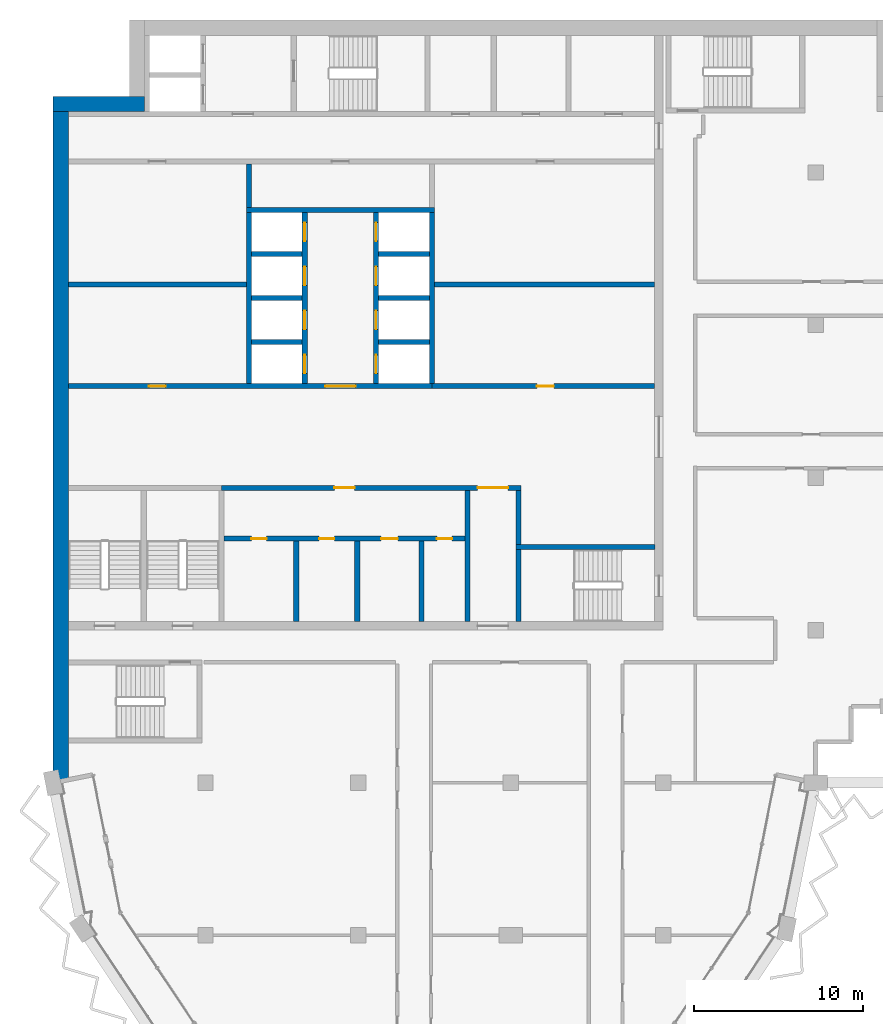
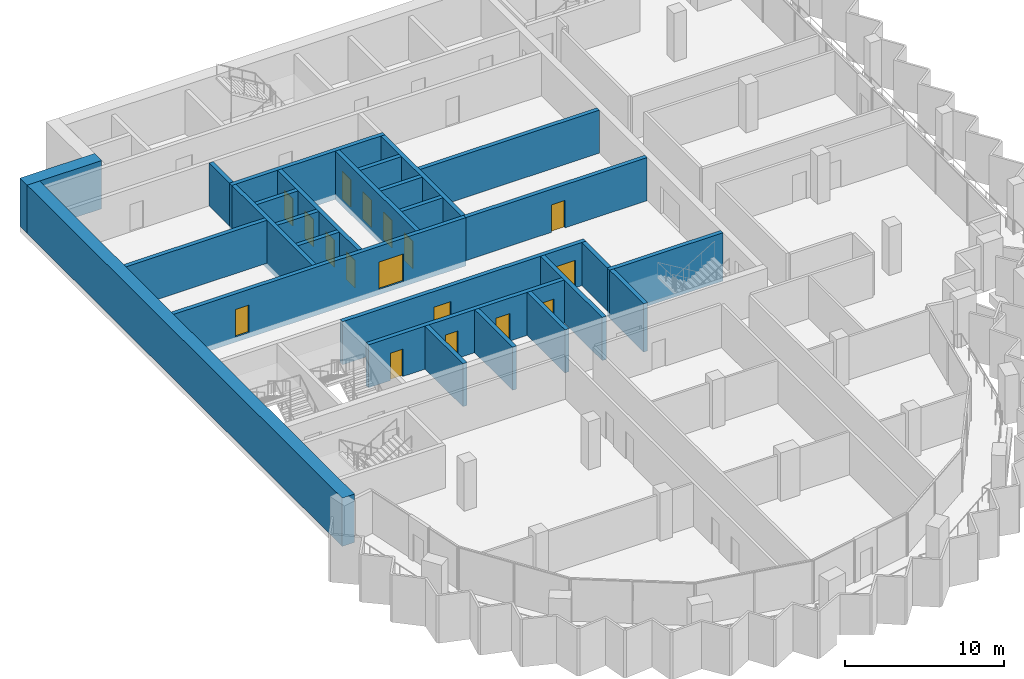
# One storey, part 8 of 14: 27 walls, 17 doors, 17 openings.
"""IFC4 building model written with IfcOpenShell, lengths in metres."""

from ifc_helpers import new_model, si_unit, direction, frame, frame_2d, origin, place, context, subcontext, project, spatial, rectangle, extrude, material, layer, layer_set, type_object, element, fill, save


model = new_model("IFC4")

# Units and contexts
model_context = context("Model", 3, precision=1e-05, world=origin(), true_north=direction((0.0, 1.0)))
body_context = subcontext(model_context, "Body", "Model", "MODEL_VIEW")
ifc_project = project(units=[si_unit("LENGTHUNIT", "METRE"), si_unit("AREAUNIT", "SQUARE_METRE"), si_unit("VOLUMEUNIT", "CUBIC_METRE"), si_unit("PLANEANGLEUNIT", "RADIAN"), si_unit("MASSUNIT", "GRAM", prefix="KILO")], contexts=[model_context])

# Site, building, storey
site_placement = place(None, origin())
site = spatial("IfcSite", under=ifc_project, at=site_placement, CompositionType="ELEMENT")
building_placement = place(site_placement, origin())
building = spatial("IfcBuilding", under=site, at=building_placement, Name="Hunhe Ridgeline Campus", CompositionType="ELEMENT")
storey_placement = place(building_placement, frame((0.0, 0.0, 288.199951171875)))
storey = spatial("IfcBuildingStorey", under=building, at=storey_placement, Name="L74", CompositionType="ELEMENT", Elevation=288.199951171875)

# Wall, openings, doors
ifc_material_1 = material(Name="Masonry concrete blockwork", Category="masonry")
ifc_layer_1 = layer(ifc_material_1, 0.300048828125)
ifc_layer_set_1 = layer_set([ifc_layer_1], Name="Core room partition 300 concrete block")
wall_type_1 = type_object("IfcWallType", Name="Core room partition 300 concrete block", PredefinedType="PARTITIONING", material=ifc_layer_set_1)
wall_1_placement = place(storey_placement, frame((10.10009765625, 68.39990234375, 0.0), z_axis=(0.0, 0.0, 1.0), x_axis=(1.0, 0.0, 0.0)))
wall_1 = element("IfcWall", 1, at=wall_1_placement, inside=storey, type_object=wall_type_1, Name="L74 core partition 5", PredefinedType="PARTITIONING", context=body_context, shape_type="SweptSolid", body=[
    extrude(rectangle(XDim=14.199951171875, YDim=0.300048828125, at=frame_2d((7.10009765625, 0.0))), origin(), (0.0, 0.0, 1.0), 3.300048828125),
])
opening_1_placement = place(wall_1_placement, frame((1.60009765625, 0.0, 0.0)))
opening_1 = element("IfcOpeningElement", 2, at=opening_1_placement, cuts=wall_1, Name="Opening CD8", PredefinedType="OPENING", context=body_context, shape_type="SweptSolid", body=[
    extrude(rectangle(XDim=0.89990234375, YDim=2.10009765625, at=frame_2d((0.449951171875, 1.050048828125))), frame((0.0, 0.14990234375, 0.0), z_axis=(0.0, -1.0, 0.0), x_axis=(1.0, 0.0, 0.0)), (0.0, 0.0, 1.0), 0.300048828125),
])
opening_2_placement = place(wall_1_placement, frame((5.60009765625, 0.0, 0.0)))
opening_2 = element("IfcOpeningElement", 3, at=opening_2_placement, cuts=wall_1, Name="Opening CD9", PredefinedType="OPENING", context=body_context, shape_type="SweptSolid", body=[
    extrude(rectangle(XDim=0.89990234375, YDim=2.10009765625, at=frame_2d((0.449951171875, 1.050048828125))), frame((0.0, 0.14990234375, 0.0), z_axis=(0.0, -1.0, 0.0), x_axis=(1.0, 0.0, 0.0)), (0.0, 0.0, 1.0), 0.300048828125),
])
opening_3_placement = place(wall_1_placement, frame((9.25, 0.0, 0.0)))
opening_3 = element("IfcOpeningElement", 4, at=opening_3_placement, cuts=wall_1, Name="Opening CD10", PredefinedType="OPENING", context=body_context, shape_type="SweptSolid", body=[
    extrude(rectangle(XDim=1.0, YDim=2.10009765625, at=frame_2d((0.5, 1.050048828125))), frame((0.0, 0.14990234375, 0.0), z_axis=(0.0, -1.0, 0.0), x_axis=(1.0, 0.0, 0.0)), (0.0, 0.0, 1.0), 0.300048828125),
])
opening_4_placement = place(wall_1_placement, frame((12.550048828125, 0.0, 0.0)))
opening_4 = element("IfcOpeningElement", 5, at=opening_4_placement, cuts=wall_1, Name="Opening CD11", PredefinedType="OPENING", context=body_context, shape_type="SweptSolid", body=[
    extrude(rectangle(XDim=0.89990234375, YDim=2.10009765625, at=frame_2d((0.449951171875, 1.050048828125))), frame((0.0, 0.14990234375, 0.0), z_axis=(0.0, -1.0, 0.0), x_axis=(1.0, 0.0, 0.0)), (0.0, 0.0, 1.0), 0.300048828125),
])
ifc_material_2 = material(Name="Solid core timber door leaf", Category="wood")
door_type_1 = type_object("IfcDoorType", Name="Timber door 1000x2100", OperationType="SINGLE_SWING_LEFT", PredefinedType="DOOR", material=ifc_material_2)
door_1_placement = place(opening_3_placement, frame((1.0, 0.0, 0.0), z_axis=(0.0, 0.0, 1.0), x_axis=(-1.0, 0.0, 0.0)))
door_1 = element("IfcDoor", 6, at=door_1_placement, inside=storey, type_object=door_type_1, Name="L74 door WC3", OperationType="SINGLE_SWING_LEFT", OverallHeight=2.10009765625, OverallWidth=1.0, PredefinedType="DOOR", context=body_context, shape_type="SweptSolid", body=[
    extrude(rectangle(XDim=1.0, YDim=2.10009765625, at=frame_2d((0.5, 1.050048828125))), frame((0.0, 0.02490234375, 0.0), z_axis=(0.0, -1.0, 0.0), x_axis=(1.0, 0.0, 0.0)), (0.0, 0.0, 1.0), 0.050048828125),
])
fill(opening_3, door_1)
door_type_2 = type_object("IfcDoorType", Name="Timber door 900x2100", OperationType="SINGLE_SWING_LEFT", PredefinedType="DOOR", material=ifc_material_2)
door_2_placement = place(opening_1_placement, frame((0.89990234375, 0.0, 0.0), z_axis=(0.0, 0.0, 1.0), x_axis=(-1.0, 0.0, 0.0)))
door_2 = element("IfcDoor", 7, at=door_2_placement, inside=storey, type_object=door_type_2, Name="L74 door WC1", OperationType="SINGLE_SWING_LEFT", OverallHeight=2.10009765625, OverallWidth=0.89990234375, PredefinedType="DOOR", context=body_context, shape_type="SweptSolid", body=[
    extrude(rectangle(XDim=0.89990234375, YDim=2.10009765625, at=frame_2d((0.449951171875, 1.050048828125))), frame((0.0, 0.02490234375, 0.0), z_axis=(0.0, -1.0, 0.0), x_axis=(1.0, 0.0, 0.0)), (0.0, 0.0, 1.0), 0.050048828125),
])
fill(opening_1, door_2)
door_3_placement = place(opening_2_placement, frame((0.89990234375, 0.0, 0.0), z_axis=(0.0, 0.0, 1.0), x_axis=(-1.0, 0.0, 0.0)))
door_3 = element("IfcDoor", 8, at=door_3_placement, inside=storey, type_object=door_type_2, Name="L74 door WC2", OperationType="SINGLE_SWING_RIGHT", OverallHeight=2.10009765625, OverallWidth=0.89990234375, PredefinedType="DOOR", context=body_context, shape_type="SweptSolid", body=[
    extrude(rectangle(XDim=0.89990234375, YDim=2.10009765625, at=frame_2d((0.449951171875, 1.050048828125))), frame((0.0, 0.02490234375, 0.0), z_axis=(0.0, -1.0, 0.0), x_axis=(1.0, 0.0, 0.0)), (0.0, 0.0, 1.0), 0.050048828125),
])
fill(opening_2, door_3)
door_4_placement = place(opening_4_placement, frame((0.89990234375, 0.0, 0.0), z_axis=(0.0, 0.0, 1.0), x_axis=(-1.0, 0.0, 0.0)))
door_4 = element("IfcDoor", 9, at=door_4_placement, inside=storey, type_object=door_type_2, Name="L74 door WC4", OperationType="SINGLE_SWING_RIGHT", OverallHeight=2.10009765625, OverallWidth=0.89990234375, PredefinedType="DOOR", context=body_context, shape_type="SweptSolid", body=[
    extrude(rectangle(XDim=0.89990234375, YDim=2.10009765625, at=frame_2d((0.449951171875, 1.050048828125))), frame((0.0, 0.02490234375, 0.0), z_axis=(0.0, -1.0, 0.0), x_axis=(1.0, 0.0, 0.0)), (0.0, 0.0, 1.0), 0.050048828125),
])
fill(opening_4, door_4)

wall_2_placement = place(storey_placement, frame((9.949951171875, 71.39990234375, 0.0), z_axis=(0.0, 0.0, 1.0), x_axis=(1.0, 0.0, 0.0)))
wall_2 = element("IfcWall", 10, at=wall_2_placement, inside=storey, type_object=wall_type_1, Name="L74 core partition 7", PredefinedType="PARTITIONING", context=body_context, shape_type="SweptSolid", body=[
    extrude(rectangle(XDim=17.650146484375, YDim=0.300048828125, at=frame_2d((8.8251953125, 0.0))), origin(), (0.0, 0.0, 1.0), 3.300048828125),
])
opening_5_placement = place(wall_2_placement, frame((15.10009765625, 0.0, 0.0)))
opening_5 = element("IfcOpeningElement", 11, at=opening_5_placement, cuts=wall_2, Name="Opening CD7", PredefinedType="OPENING", context=body_context, shape_type="SweptSolid", body=[
    extrude(rectangle(XDim=1.800048828125, YDim=2.10009765625, at=frame_2d((0.89990234375, 1.050048828125))), frame((0.0, 0.14990234375, 0.0), z_axis=(0.0, -1.0, 0.0), x_axis=(1.0, 0.0, 0.0)), (0.0, 0.0, 1.0), 0.300048828125),
])
opening_6_placement = place(wall_2_placement, frame((6.64990234375, 0.0, 0.0)))
opening_6 = element("IfcOpeningElement", 12, at=opening_6_placement, cuts=wall_2, Name="Opening CD37", PredefinedType="OPENING", context=body_context, shape_type="SweptSolid", body=[
    extrude(rectangle(XDim=1.199951171875, YDim=2.10009765625, at=frame_2d((0.60009765625, 1.050048828125))), frame((0.0, 0.14990234375, 0.0), z_axis=(0.0, -1.0, 0.0), x_axis=(1.0, 0.0, 0.0)), (0.0, 0.0, 1.0), 0.300048828125),
])
ifc_material_3 = material(Name="Anodised aluminium and glass", Category="aluminium")
door_type_3 = type_object("IfcDoorType", Name="Glazed double door 1800x2100", OperationType="DOUBLE_DOOR_SINGLE_SWING", PredefinedType="DOOR", material=ifc_material_3)
door_5_placement = place(opening_5_placement, origin())
door_5 = element("IfcDoor", 13, at=door_5_placement, inside=storey, type_object=door_type_3, Name="L74 door VEST-HALL", OperationType="DOUBLE_DOOR_SINGLE_SWING", OverallHeight=2.10009765625, OverallWidth=1.800048828125, PredefinedType="DOOR", context=body_context, shape_type="SweptSolid", body=[
    extrude(rectangle(XDim=1.800048828125, YDim=2.10009765625, at=frame_2d((0.89990234375, 1.050048828125))), frame((0.0, 0.02490234375, 0.0), z_axis=(0.0, -1.0, 0.0), x_axis=(1.0, 0.0, 0.0)), (0.0, 0.0, 1.0), 0.050048828125),
])
fill(opening_5, door_5)
door_type_4 = type_object("IfcDoorType", Name="Timber door 1200x2100", OperationType="SINGLE_SWING_LEFT", PredefinedType="DOOR", material=ifc_material_2)
door_6_placement = place(opening_6_placement, origin())
door_6 = element("IfcDoor", 14, at=door_6_placement, inside=storey, type_object=door_type_4, Name="L74 door WCL1-HALL", OperationType="SINGLE_SWING_RIGHT", OverallHeight=2.10009765625, OverallWidth=1.199951171875, PredefinedType="DOOR", context=body_context, shape_type="SweptSolid", body=[
    extrude(rectangle(XDim=1.199951171875, YDim=2.10009765625, at=frame_2d((0.60009765625, 1.050048828125))), frame((0.0, 0.02490234375, 0.0), z_axis=(0.0, -1.0, 0.0), x_axis=(1.0, 0.0, 0.0)), (0.0, 0.0, 1.0), 0.050048828125),
])
fill(opening_6, door_6)

# Wall, opening, door
wall_3_placement = place(storey_placement, frame((22.35009765625, 77.39990234375, 0.0), z_axis=(0.0, 0.0, 1.0), x_axis=(1.0, 0.0, 0.0)))
wall_3 = element("IfcWall", 15, at=wall_3_placement, inside=storey, type_object=wall_type_1, Name="L74 core partition 9", PredefinedType="PARTITIONING", context=body_context, shape_type="SweptSolid", body=[
    extrude(rectangle(XDim=13.14990234375, YDim=0.300048828125, at=frame_2d((6.574951171875, 0.0))), origin(), (0.0, 0.0, 1.0), 3.300048828125),
])
opening_7_placement = place(wall_3_placement, frame((6.199951171875, 0.0, 0.0)))
opening_7 = element("IfcOpeningElement", 16, at=opening_7_placement, cuts=wall_3, Name="Opening CD32", PredefinedType="OPENING", context=body_context, shape_type="SweptSolid", body=[
    extrude(rectangle(XDim=1.0, YDim=2.10009765625, at=frame_2d((0.5, 1.050048828125))), frame((0.0, 0.14990234375, 0.0), z_axis=(0.0, -1.0, 0.0), x_axis=(1.0, 0.0, 0.0)), (0.0, 0.0, 1.0), 0.300048828125),
])
door_7_placement = place(opening_7_placement, origin())
door_7 = element("IfcDoor", 17, at=door_7_placement, inside=storey, type_object=door_type_1, Name="L74 door ES0", OperationType="SINGLE_SWING_RIGHT", OverallHeight=2.10009765625, OverallWidth=1.0, PredefinedType="DOOR", context=body_context, shape_type="SweptSolid", body=[
    extrude(rectangle(XDim=1.0, YDim=2.10009765625, at=frame_2d((0.5, 1.050048828125))), frame((0.0, 0.02490234375, 0.0), z_axis=(0.0, -1.0, 0.0), x_axis=(1.0, 0.0, 0.0)), (0.0, 0.0, 1.0), 0.050048828125),
])
fill(opening_7, door_7)

# Walls
wall_4_placement = place(storey_placement, frame((0.89990234375, 83.39990234375, 0.0), z_axis=(0.0, 0.0, 1.0), x_axis=(1.0, 0.0, 0.0)))
element("IfcWall", 18, at=wall_4_placement, inside=storey, type_object=wall_type_1, Name="L74 core partition 14", PredefinedType="PARTITIONING", context=body_context, shape_type="SweptSolid", body=[
    extrude(rectangle(XDim=10.5, YDim=0.300048828125, at=frame_2d((5.25, 0.0))), origin(), (0.0, 0.0, 1.0), 3.300048828125),
])
wall_5_placement = place(storey_placement, frame((22.5, 83.39990234375, 0.0), z_axis=(0.0, 0.0, 1.0), x_axis=(1.0, 0.0, 0.0)))
element("IfcWall", 19, at=wall_5_placement, inside=storey, type_object=wall_type_1, Name="L74 core partition 15", PredefinedType="PARTITIONING", context=body_context, shape_type="SweptSolid", body=[
    extrude(rectangle(XDim=13.0, YDim=0.300048828125, at=frame_2d((6.5, 0.0))), origin(), (0.0, 0.0, 1.0), 3.300048828125),
])
wall_6_placement = place(storey_placement, frame((11.550048828125, 87.949951171875, 0.0), z_axis=(0.0, 0.0, 1.0), x_axis=(0.0, 1.0, 0.0)))
element("IfcWall", 20, at=wall_6_placement, inside=storey, type_object=wall_type_1, Name="L74 core partition 29", PredefinedType="PARTITIONING", context=body_context, shape_type="SweptSolid", body=[
    extrude(rectangle(XDim=2.550048828125, YDim=0.300048828125, at=frame_2d((1.27490234375, 0.0))), origin(), (0.0, 0.0, 1.0), 3.300048828125),
])
for number, where, z_axis, x_axis, name in (
    (21, (14.35009765625, 63.5, 0.0), (0.0, 0.0, 1.0), (0.0, 1.0, 0.0), "L74 core partition 31"),
    (22, (17.949951171875, 63.5, 0.0), (0.0, 0.0, 1.0), (0.0, 1.0, 0.0), "L74 core partition 33"),
    (23, (21.75, 63.5, 0.0), (0.0, 0.0, 1.0), (0.0, 1.0, 0.0), "L74 core partition 35"),
):
    element("IfcWall", number, at=place(storey_placement, frame(where, z_axis=z_axis, x_axis=x_axis)), inside=storey, type_object=wall_type_1, Name=name, PredefinedType="PARTITIONING", context=body_context, shape_type="SweptSolid", body=[
        extrude(rectangle(XDim=4.75, YDim=0.300048828125, at=frame_2d((2.375, 0.0))), origin(), (0.0, 0.0, 1.0), 3.300048828125),
    ])
wall_7_placement = place(storey_placement, frame((24.449951171875, 63.5, 0.0), z_axis=(0.0, 0.0, 1.0), x_axis=(0.0, 1.0, 0.0)))
element("IfcWall", 24, at=wall_7_placement, inside=storey, type_object=wall_type_1, Name="L74 core partition 39", PredefinedType="PARTITIONING", context=body_context, shape_type="SweptSolid", body=[
    extrude(rectangle(XDim=7.75, YDim=0.300048828125, at=frame_2d((3.875, 0.0))), origin(), (0.0, 0.0, 1.0), 3.300048828125),
])
wall_8_placement = place(storey_placement, frame((27.449951171875, 68.050048828125, 0.0), z_axis=(0.0, 0.0, 1.0), x_axis=(0.0, 1.0, 0.0)))
element("IfcWall", 25, at=wall_8_placement, inside=storey, type_object=wall_type_1, Name="L74 core partition 42", PredefinedType="PARTITIONING", context=body_context, shape_type="SweptSolid", body=[
    extrude(rectangle(XDim=3.199951171875, YDim=0.300048828125, at=frame_2d((1.60009765625, 0.0))), origin(), (0.0, 0.0, 1.0), 3.300048828125),
])

# Wall, openings, doors
ifc_material_4 = material(Name="Concrete C50", Category="concrete")
ifc_layer_2 = layer(ifc_material_4, 0.300048828125)
ifc_layer_set_2 = layer_set([ifc_layer_2], Name="Shaft wall 300 reinforced concrete C50")
wall_type_2 = type_object("IfcWallType", Name="Shaft wall 300 reinforced concrete C50", PredefinedType="SOLIDWALL", material=ifc_layer_set_2)
wall_9_placement = place(storey_placement, frame((0.89990234375, 77.39990234375, -0.39990234375), z_axis=(0.0, 0.0, 1.0), x_axis=(1.0, 0.0, 0.0)))
wall_9 = element("IfcWall", 26, at=wall_9_placement, inside=storey, type_object=wall_type_2, Name="L74 core wall 8", PredefinedType="SOLIDWALL", context=body_context, shape_type="SweptSolid", body=[
    extrude(rectangle(XDim=21.4501953125, YDim=0.300048828125, at=frame_2d((10.72509765625, 0.0))), origin(), (0.0, 0.0, 1.0), 3.699951171875),
])
opening_8_placement = place(wall_9_placement, frame((15.14990234375, 0.0, 0.39990234375)))
opening_8 = element("IfcOpeningElement", 27, at=opening_8_placement, cuts=wall_9, Name="Opening CD38", PredefinedType="OPENING", context=body_context, shape_type="SweptSolid", body=[
    extrude(rectangle(XDim=1.800048828125, YDim=2.10009765625, at=frame_2d((0.89990234375, 1.050048828125))), frame((0.0, 0.14990234375, 0.0), z_axis=(0.0, -1.0, 0.0), x_axis=(1.0, 0.0, 0.0)), (0.0, 0.0, 1.0), 0.300048828125),
])
opening_9_placement = place(wall_9_placement, frame((4.75, 0.0, 0.39990234375)))
opening_9 = element("IfcOpeningElement", 28, at=opening_9_placement, cuts=wall_9, Name="Opening CD39", PredefinedType="OPENING", context=body_context, shape_type="SweptSolid", body=[
    extrude(rectangle(XDim=1.0, YDim=2.10009765625, at=frame_2d((0.5, 1.050048828125))), frame((0.0, 0.14990234375, 0.0), z_axis=(0.0, -1.0, 0.0), x_axis=(1.0, 0.0, 0.0)), (0.0, 0.0, 1.0), 0.300048828125),
])
ifc_material_5 = material(Name="Hollow metal fire door leaf")
door_type_5 = type_object("IfcDoorType", Name="Lobby door 1800x2100 FD60", OperationType="SINGLE_SWING_LEFT", PredefinedType="DOOR", material=ifc_material_5)
door_8_placement = place(opening_8_placement, frame((1.800048828125, 0.0, 0.0), z_axis=(0.0, 0.0, 1.0), x_axis=(-1.0, 0.0, 0.0)))
door_8 = element("IfcDoor", 29, at=door_8_placement, inside=storey, type_object=door_type_5, Name="L74 door LOB-HR", OperationType="SINGLE_SWING_RIGHT", OverallHeight=2.10009765625, OverallWidth=1.800048828125, PredefinedType="DOOR", context=body_context, shape_type="SweptSolid", body=[
    extrude(rectangle(XDim=1.800048828125, YDim=2.10009765625, at=frame_2d((0.89990234375, 1.050048828125))), frame((0.0, 0.02490234375, 0.0), z_axis=(0.0, -1.0, 0.0), x_axis=(1.0, 0.0, 0.0)), (0.0, 0.0, 1.0), 0.050048828125),
])
fill(opening_8, door_8)
door_9_placement = place(opening_9_placement, origin())
door_9 = element("IfcDoor", 30, at=door_9_placement, inside=storey, type_object=door_type_1, Name="L74 door VD-LR0", OperationType="SINGLE_SWING_LEFT", OverallHeight=2.10009765625, OverallWidth=1.0, PredefinedType="DOOR", context=body_context, shape_type="SweptSolid", body=[
    extrude(rectangle(XDim=1.0, YDim=2.10009765625, at=frame_2d((0.5, 1.050048828125))), frame((0.0, 0.02490234375, 0.0), z_axis=(0.0, -1.0, 0.0), x_axis=(1.0, 0.0, 0.0)), (0.0, 0.0, 1.0), 0.050048828125),
])
fill(opening_9, door_9)

# Walls
for number, where, z_axis, x_axis, name in (
    (31, (11.699951171875, 80.0, -0.39990234375), (0.0, 0.0, 1.0), (1.0, 0.0, 0.0), "L74 core wall 10"),
    (32, (19.199951171875, 80.0, -0.39990234375), (0.0, 0.0, 1.0), (1.0, 0.0, 0.0), "L74 core wall 11"),
    (33, (11.699951171875, 82.60009765625, -0.39990234375), (0.0, 0.0, 1.0), (1.0, 0.0, 0.0), "L74 core wall 12"),
    (34, (19.199951171875, 82.60009765625, -0.39990234375), (0.0, 0.0, 1.0), (1.0, 0.0, 0.0), "L74 core wall 13"),
    (35, (11.699951171875, 85.199951171875, -0.39990234375), (0.0, 0.0, 1.0), (1.0, 0.0, 0.0), "L74 core wall 16"),
    (36, (19.199951171875, 85.199951171875, -0.39990234375), (0.0, 0.0, 1.0), (1.0, 0.0, 0.0), "L74 core wall 17"),
):
    element("IfcWall", number, at=place(storey_placement, frame(where, z_axis=z_axis, x_axis=x_axis)), inside=storey, type_object=wall_type_2, Name=name, PredefinedType="SOLIDWALL", context=body_context, shape_type="SweptSolid", body=[
        extrude(rectangle(XDim=3.0, YDim=0.300048828125, at=frame_2d((1.5, 0.0))), origin(), (0.0, 0.0, 1.0), 3.699951171875),
    ])
wall_10_placement = place(storey_placement, frame((11.39990234375, 87.800048828125, -0.39990234375), z_axis=(0.0, 0.0, 1.0), x_axis=(1.0, 0.0, 0.0)))
element("IfcWall", 37, at=wall_10_placement, inside=storey, type_object=wall_type_2, Name="L74 core wall 18", PredefinedType="SOLIDWALL", context=body_context, shape_type="SweptSolid", body=[
    extrude(rectangle(XDim=11.10009765625, YDim=0.300048828125, at=frame_2d((5.550048828125, 0.0))), origin(), (0.0, 0.0, 1.0), 3.699951171875),
])
wall_11_placement = place(storey_placement, frame((11.550048828125, 77.550048828125, -0.39990234375), z_axis=(0.0, 0.0, 1.0), x_axis=(0.0, 1.0, 0.0)))
element("IfcWall", 38, at=wall_11_placement, inside=storey, type_object=wall_type_2, Name="L74 core wall 28", PredefinedType="SOLIDWALL", context=body_context, shape_type="SweptSolid", body=[
    extrude(rectangle(XDim=10.099853515625, YDim=0.300048828125, at=frame_2d((5.0498046875, 0.0))), origin(), (0.0, 0.0, 1.0), 3.699951171875),
])

# Wall, openings, doors
wall_12_placement = place(storey_placement, frame((14.85009765625, 77.550048828125, -0.39990234375), z_axis=(0.0, 0.0, 1.0), x_axis=(0.0, 1.0, 0.0)))
wall_12 = element("IfcWall", 39, at=wall_12_placement, inside=storey, type_object=wall_type_2, Name="L74 core wall 32", PredefinedType="SOLIDWALL", context=body_context, shape_type="SweptSolid", body=[
    extrude(rectangle(XDim=10.099853515625, YDim=0.300048828125, at=frame_2d((5.0498046875, 0.0))), origin(), (0.0, 0.0, 1.0), 3.699951171875),
])
opening_10_placement = place(wall_12_placement, frame((0.60009765625, 0.0, 0.39990234375)))
opening_10 = element("IfcOpeningElement", 40, at=opening_10_placement, cuts=wall_12, Name="Opening LD-HR1", PredefinedType="OPENING", context=body_context, shape_type="SweptSolid", body=[
    extrude(rectangle(XDim=1.10009765625, YDim=2.10009765625, at=frame_2d((0.550048828125, 1.050048828125))), frame((0.0, 0.14990234375, 0.0), z_axis=(0.0, -1.0, 0.0), x_axis=(1.0, 0.0, 0.0)), (0.0, 0.0, 1.0), 0.300048828125),
])
opening_11_placement = place(wall_12_placement, frame((3.199951171875, 0.0, 0.39990234375)))
opening_11 = element("IfcOpeningElement", 41, at=opening_11_placement, cuts=wall_12, Name="Opening LD-HR2", PredefinedType="OPENING", context=body_context, shape_type="SweptSolid", body=[
    extrude(rectangle(XDim=1.10009765625, YDim=2.10009765625, at=frame_2d((0.550048828125, 1.050048828125))), frame((0.0, 0.14990234375, 0.0), z_axis=(0.0, -1.0, 0.0), x_axis=(1.0, 0.0, 0.0)), (0.0, 0.0, 1.0), 0.300048828125),
])
opening_12_placement = place(wall_12_placement, frame((5.800048828125, 0.0, 0.39990234375)))
opening_12 = element("IfcOpeningElement", 42, at=opening_12_placement, cuts=wall_12, Name="Opening LD-HR3", PredefinedType="OPENING", context=body_context, shape_type="SweptSolid", body=[
    extrude(rectangle(XDim=1.10009765625, YDim=2.10009765625, at=frame_2d((0.550048828125, 1.050048828125))), frame((0.0, 0.14990234375, 0.0), z_axis=(0.0, -1.0, 0.0), x_axis=(1.0, 0.0, 0.0)), (0.0, 0.0, 1.0), 0.300048828125),
])
opening_13_placement = place(wall_12_placement, frame((8.39990234375, 0.0, 0.39990234375)))
opening_13 = element("IfcOpeningElement", 43, at=opening_13_placement, cuts=wall_12, Name="Opening LD-HR4", PredefinedType="OPENING", context=body_context, shape_type="SweptSolid", body=[
    extrude(rectangle(XDim=1.10009765625, YDim=2.10009765625, at=frame_2d((0.550048828125, 1.050048828125))), frame((0.0, 0.14990234375, 0.0), z_axis=(0.0, -1.0, 0.0), x_axis=(1.0, 0.0, 0.0)), (0.0, 0.0, 1.0), 0.300048828125),
])
ifc_material_6 = material(Name="Stainless steel sliding leaves", Category="steel")
door_type_6 = type_object("IfcDoorType", Name="Landing door 1100x2100 FD120", OperationType="SLIDING_TO_LEFT", PredefinedType="DOOR", material=ifc_material_6)
door_10_placement = place(opening_10_placement, origin())
door_10 = element("IfcDoor", 44, at=door_10_placement, inside=storey, type_object=door_type_6, Name="L74 landing door HR1", OperationType="SLIDING_TO_RIGHT", OverallHeight=2.10009765625, OverallWidth=1.10009765625, PredefinedType="DOOR", context=body_context, shape_type="SweptSolid", body=[
    extrude(rectangle(XDim=1.10009765625, YDim=2.10009765625, at=frame_2d((0.550048828125, 1.050048828125))), frame((0.0, 0.02490234375, 0.0), z_axis=(0.0, -1.0, 0.0), x_axis=(1.0, 0.0, 0.0)), (0.0, 0.0, 1.0), 0.050048828125),
])
fill(opening_10, door_10)
door_11_placement = place(opening_11_placement, origin())
door_11 = element("IfcDoor", 45, at=door_11_placement, inside=storey, type_object=door_type_6, Name="L74 landing door HR2", OperationType="SLIDING_TO_LEFT", OverallHeight=2.10009765625, OverallWidth=1.10009765625, PredefinedType="DOOR", context=body_context, shape_type="SweptSolid", body=[
    extrude(rectangle(XDim=1.10009765625, YDim=2.10009765625, at=frame_2d((0.550048828125, 1.050048828125))), frame((0.0, 0.02490234375, 0.0), z_axis=(0.0, -1.0, 0.0), x_axis=(1.0, 0.0, 0.0)), (0.0, 0.0, 1.0), 0.050048828125),
])
fill(opening_11, door_11)
door_12_placement = place(opening_12_placement, origin())
door_12 = element("IfcDoor", 46, at=door_12_placement, inside=storey, type_object=door_type_6, Name="L74 landing door HR3", OperationType="SLIDING_TO_RIGHT", OverallHeight=2.10009765625, OverallWidth=1.10009765625, PredefinedType="DOOR", context=body_context, shape_type="SweptSolid", body=[
    extrude(rectangle(XDim=1.10009765625, YDim=2.10009765625, at=frame_2d((0.550048828125, 1.050048828125))), frame((0.0, 0.02490234375, 0.0), z_axis=(0.0, -1.0, 0.0), x_axis=(1.0, 0.0, 0.0)), (0.0, 0.0, 1.0), 0.050048828125),
])
fill(opening_12, door_12)
door_13_placement = place(opening_13_placement, origin())
door_13 = element("IfcDoor", 47, at=door_13_placement, inside=storey, type_object=door_type_6, Name="L74 landing door HR4", OperationType="SLIDING_TO_LEFT", OverallHeight=2.10009765625, OverallWidth=1.10009765625, PredefinedType="DOOR", context=body_context, shape_type="SweptSolid", body=[
    extrude(rectangle(XDim=1.10009765625, YDim=2.10009765625, at=frame_2d((0.550048828125, 1.050048828125))), frame((0.0, 0.02490234375, 0.0), z_axis=(0.0, -1.0, 0.0), x_axis=(1.0, 0.0, 0.0)), (0.0, 0.0, 1.0), 0.050048828125),
])
fill(opening_13, door_13)

wall_13_placement = place(storey_placement, frame((19.050048828125, 77.550048828125, -0.39990234375), z_axis=(0.0, 0.0, 1.0), x_axis=(0.0, 1.0, 0.0)))
wall_13 = element("IfcWall", 48, at=wall_13_placement, inside=storey, type_object=wall_type_2, Name="L74 core wall 34", PredefinedType="SOLIDWALL", context=body_context, shape_type="SweptSolid", body=[
    extrude(rectangle(XDim=10.099853515625, YDim=0.300048828125, at=frame_2d((5.0498046875, 0.0))), origin(), (0.0, 0.0, 1.0), 3.699951171875),
])
opening_14_placement = place(wall_13_placement, frame((0.60009765625, 0.0, 0.39990234375)))
opening_14 = element("IfcOpeningElement", 49, at=opening_14_placement, cuts=wall_13, Name="Opening LD-HR5", PredefinedType="OPENING", context=body_context, shape_type="SweptSolid", body=[
    extrude(rectangle(XDim=1.10009765625, YDim=2.10009765625, at=frame_2d((0.550048828125, 1.050048828125))), frame((0.0, 0.14990234375, 0.0), z_axis=(0.0, -1.0, 0.0), x_axis=(1.0, 0.0, 0.0)), (0.0, 0.0, 1.0), 0.300048828125),
])
opening_15_placement = place(wall_13_placement, frame((3.199951171875, 0.0, 0.39990234375)))
opening_15 = element("IfcOpeningElement", 50, at=opening_15_placement, cuts=wall_13, Name="Opening LD-HR6", PredefinedType="OPENING", context=body_context, shape_type="SweptSolid", body=[
    extrude(rectangle(XDim=1.10009765625, YDim=2.10009765625, at=frame_2d((0.550048828125, 1.050048828125))), frame((0.0, 0.14990234375, 0.0), z_axis=(0.0, -1.0, 0.0), x_axis=(1.0, 0.0, 0.0)), (0.0, 0.0, 1.0), 0.300048828125),
])
opening_16_placement = place(wall_13_placement, frame((5.800048828125, 0.0, 0.39990234375)))
opening_16 = element("IfcOpeningElement", 51, at=opening_16_placement, cuts=wall_13, Name="Opening LD-HR7", PredefinedType="OPENING", context=body_context, shape_type="SweptSolid", body=[
    extrude(rectangle(XDim=1.10009765625, YDim=2.10009765625, at=frame_2d((0.550048828125, 1.050048828125))), frame((0.0, 0.14990234375, 0.0), z_axis=(0.0, -1.0, 0.0), x_axis=(1.0, 0.0, 0.0)), (0.0, 0.0, 1.0), 0.300048828125),
])
opening_17_placement = place(wall_13_placement, frame((8.39990234375, 0.0, 0.39990234375)))
opening_17 = element("IfcOpeningElement", 52, at=opening_17_placement, cuts=wall_13, Name="Opening LD-HR8", PredefinedType="OPENING", context=body_context, shape_type="SweptSolid", body=[
    extrude(rectangle(XDim=1.10009765625, YDim=2.10009765625, at=frame_2d((0.550048828125, 1.050048828125))), frame((0.0, 0.14990234375, 0.0), z_axis=(0.0, -1.0, 0.0), x_axis=(1.0, 0.0, 0.0)), (0.0, 0.0, 1.0), 0.300048828125),
])
door_14_placement = place(opening_14_placement, origin())
door_14 = element("IfcDoor", 53, at=door_14_placement, inside=storey, type_object=door_type_6, Name="L74 landing door HR5", OperationType="SLIDING_TO_RIGHT", OverallHeight=2.10009765625, OverallWidth=1.10009765625, PredefinedType="DOOR", context=body_context, shape_type="SweptSolid", body=[
    extrude(rectangle(XDim=1.10009765625, YDim=2.10009765625, at=frame_2d((0.550048828125, 1.050048828125))), frame((0.0, 0.02490234375, 0.0), z_axis=(0.0, -1.0, 0.0), x_axis=(1.0, 0.0, 0.0)), (0.0, 0.0, 1.0), 0.050048828125),
])
fill(opening_14, door_14)
door_15_placement = place(opening_15_placement, origin())
door_15 = element("IfcDoor", 54, at=door_15_placement, inside=storey, type_object=door_type_6, Name="L74 landing door HR6", OperationType="SLIDING_TO_LEFT", OverallHeight=2.10009765625, OverallWidth=1.10009765625, PredefinedType="DOOR", context=body_context, shape_type="SweptSolid", body=[
    extrude(rectangle(XDim=1.10009765625, YDim=2.10009765625, at=frame_2d((0.550048828125, 1.050048828125))), frame((0.0, 0.02490234375, 0.0), z_axis=(0.0, -1.0, 0.0), x_axis=(1.0, 0.0, 0.0)), (0.0, 0.0, 1.0), 0.050048828125),
])
fill(opening_15, door_15)
door_16_placement = place(opening_16_placement, origin())
door_16 = element("IfcDoor", 55, at=door_16_placement, inside=storey, type_object=door_type_6, Name="L74 landing door HR7", OperationType="SLIDING_TO_RIGHT", OverallHeight=2.10009765625, OverallWidth=1.10009765625, PredefinedType="DOOR", context=body_context, shape_type="SweptSolid", body=[
    extrude(rectangle(XDim=1.10009765625, YDim=2.10009765625, at=frame_2d((0.550048828125, 1.050048828125))), frame((0.0, 0.02490234375, 0.0), z_axis=(0.0, -1.0, 0.0), x_axis=(1.0, 0.0, 0.0)), (0.0, 0.0, 1.0), 0.050048828125),
])
fill(opening_16, door_16)
door_17_placement = place(opening_17_placement, origin())
door_17 = element("IfcDoor", 56, at=door_17_placement, inside=storey, type_object=door_type_6, Name="L74 landing door HR8", OperationType="SLIDING_TO_LEFT", OverallHeight=2.10009765625, OverallWidth=1.10009765625, PredefinedType="DOOR", context=body_context, shape_type="SweptSolid", body=[
    extrude(rectangle(XDim=1.10009765625, YDim=2.10009765625, at=frame_2d((0.550048828125, 1.050048828125))), frame((0.0, 0.02490234375, 0.0), z_axis=(0.0, -1.0, 0.0), x_axis=(1.0, 0.0, 0.0)), (0.0, 0.0, 1.0), 0.050048828125),
])
fill(opening_17, door_17)

# Walls
wall_14_placement = place(storey_placement, frame((22.35009765625, 77.550048828125, -0.39990234375), z_axis=(0.0, 0.0, 1.0), x_axis=(0.0, 1.0, 0.0)))
element("IfcWall", 57, at=wall_14_placement, inside=storey, type_object=wall_type_2, Name="L74 core wall 37", PredefinedType="SOLIDWALL", context=body_context, shape_type="SweptSolid", body=[
    extrude(rectangle(XDim=10.099853515625, YDim=0.300048828125, at=frame_2d((5.0498046875, 0.0))), origin(), (0.0, 0.0, 1.0), 3.699951171875),
])
ifc_layer_3 = layer(ifc_material_4, 0.89990234375)
ifc_layer_set_3 = layer_set([ifc_layer_3], Name="Spine wall 900 Concrete C50")
wall_type_3 = type_object("IfcWallType", Name="Spine wall 900 Concrete C50", PredefinedType="SHEAR", material=ifc_layer_set_3)
wall_15_placement = place(storey_placement, frame((0.449951171875, 94.5, 0.0), z_axis=(0.0, 0.0, 1.0), x_axis=(0.0, -1.0, 0.0)))
element("IfcWall", 58, at=wall_15_placement, inside=storey, type_object=wall_type_3, Name="Spine wall SW4-1 L74", PredefinedType="SHEAR", context=body_context, shape_type="SweptSolid", body=[
    extrude(rectangle(XDim=40.45556640625, YDim=0.89990234375, at=frame_2d((20.227783203125, 0.0))), origin(), (0.0, 0.0, 1.0), 3.699951171875),
])
wall_16_placement = place(storey_placement, frame((5.400146484375, 94.050048828125, 0.0), z_axis=(0.0, 0.0, 1.0), x_axis=(-1.0, 0.0, 0.0)))
element("IfcWall", 59, at=wall_16_placement, inside=storey, type_object=wall_type_3, Name="Spine wall SW4-6 L74", PredefinedType="SHEAR", context=body_context, shape_type="SweptSolid", body=[
    extrude(rectangle(XDim=5.400146484375, YDim=0.89990234375, at=frame_2d((2.7001953125, 0.0))), origin(), (0.0, 0.0, 1.0), 3.699951171875),
])
ifc_layer_4 = layer(ifc_material_4, 0.300048828125)
ifc_layer_set_4 = layer_set([ifc_layer_4], Name="Stair wall 300 reinforced concrete C50")
wall_type_4 = type_object("IfcWallType", Name="Stair wall 300 reinforced concrete C50", PredefinedType="SOLIDWALL", material=ifc_layer_set_4)
wall_17_placement = place(storey_placement, frame((27.300048828125, 67.89990234375, -0.39990234375), z_axis=(0.0, 0.0, 1.0), x_axis=(1.0, 0.0, 0.0)))
element("IfcWall", 60, at=wall_17_placement, inside=storey, type_object=wall_type_4, Name="L74 core wall 4", PredefinedType="SOLIDWALL", context=body_context, shape_type="SweptSolid", body=[
    extrude(rectangle(XDim=8.199951171875, YDim=0.300048828125, at=frame_2d((4.10009765625, 0.0))), origin(), (0.0, 0.0, 1.0), 3.699951171875),
])
wall_18_placement = place(storey_placement, frame((27.449951171875, 63.5, -0.39990234375), z_axis=(0.0, 0.0, 1.0), x_axis=(0.0, 1.0, 0.0)))
element("IfcWall", 61, at=wall_18_placement, inside=storey, type_object=wall_type_4, Name="L74 core wall 41", PredefinedType="SOLIDWALL", context=body_context, shape_type="SweptSolid", body=[
    extrude(rectangle(XDim=4.25, YDim=0.300048828125, at=frame_2d((2.125, 0.0))), origin(), (0.0, 0.0, 1.0), 3.699951171875),
])

save(model, "model.ifc")
